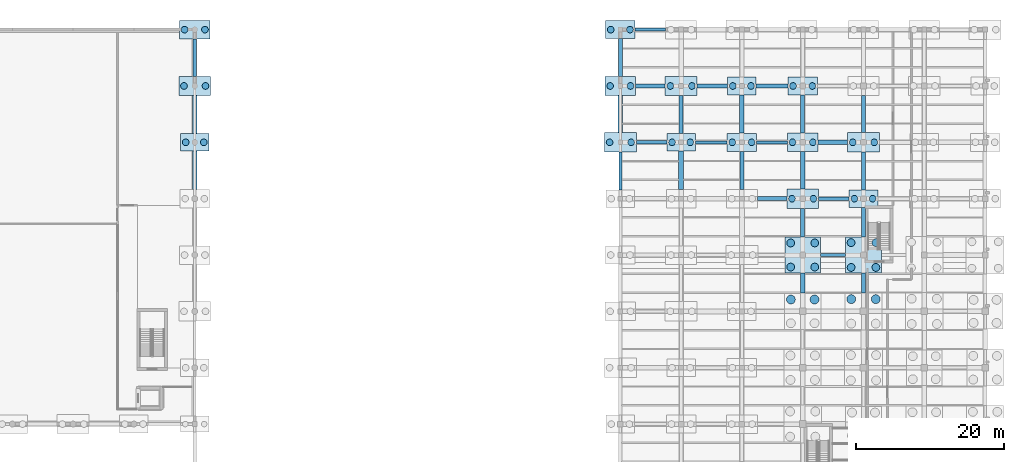
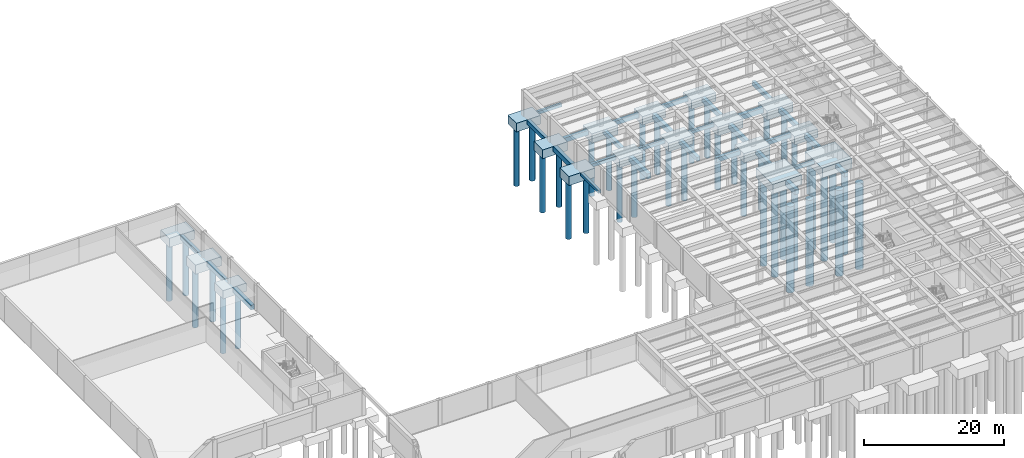
# One storey, part 5 of 29: 46 footings, 42 piles.
"""IFC4 building model written with IfcOpenShell, lengths in metres."""

from ifc_helpers import new_model, si_unit, direction, frame, origin, origin_2d, place, context, subcontext, project, spatial, rectangle, circle, extrude, material, material_profile, profile_set, type_object, element, save


model = new_model("IFC4")

# Units and contexts
model_context = context("Model", 3, precision=1e-05, world=origin(), true_north=direction((0.0, 1.0)))
body_context = subcontext(model_context, "Body", "Model", "MODEL_VIEW")
ifc_project = project(units=[si_unit("LENGTHUNIT", "METRE"), si_unit("AREAUNIT", "SQUARE_METRE"), si_unit("VOLUMEUNIT", "CUBIC_METRE"), si_unit("PLANEANGLEUNIT", "RADIAN"), si_unit("MASSUNIT", "GRAM", prefix="KILO")], contexts=[model_context])

# Site, building, storey
site_placement = place(None, origin())
site = spatial("IfcSite", under=ifc_project, at=site_placement, CompositionType="ELEMENT")
building_placement = place(site_placement, origin())
building = spatial("IfcBuilding", under=site, at=building_placement, Name="Qandaris Square Conservatory and Botanical Centre", CompositionType="ELEMENT")
storey_placement = place(building_placement, frame((0.0, 0.0, -4.800048828125)))
storey = spatial("IfcBuildingStorey", under=building, at=storey_placement, Name="B1", CompositionType="ELEMENT", Elevation=-4.800048828125)

# Piles
ifc_material_1 = material(Name="Concrete C50/60", Category="concrete")
ifc_material_profile_1 = material_profile(ifc_material_1, circle(Radius=0.52490234375, at=origin_2d()), Name="PILE D1050")
ifc_profile_set_1 = profile_set([ifc_material_profile_1], Name="Concrete C50/60")
pile_type_1 = type_object("IfcPileType", Name="Bored Pile D1050", PredefinedType="BORED", material=ifc_profile_set_1)
for number, where, z_axis, x_axis, name in (
    (1, (137.574951171875, 68.175048828125, -1.550048828125), (0.0, 0.0, -1.0), (1.0, 0.0, 0.0), "Bored Pile J17-1"),
    (2, (140.824951171875, 68.175048828125, -1.550048828125), (0.0, 0.0, -1.0), (1.0, 0.0, 0.0), "Bored Pile J17-2"),
    (3, (137.574951171875, 71.425048828125, -1.550048828125), (0.0, 0.0, -1.0), (1.0, 0.0, 0.0), "Bored Pile J17-3"),
    (4, (140.824951171875, 71.425048828125, -1.550048828125), (0.0, 0.0, -1.0), (1.0, 0.0, 0.0), "Bored Pile J17-4"),
):
    element("IfcPile", number, at=place(storey_placement, frame(where, z_axis=z_axis, x_axis=x_axis)), inside=storey, type_object=pile_type_1, Name=name, PredefinedType="BORED", context=body_context, shape_type="SweptSolid", body=[
        extrude(circle(Radius=0.52490234375, at=origin_2d()), origin(), (0.0, 0.0, 1.0), 15.14990234375),
    ])
for number, where, z_axis, x_axis, name in (
    (5, (145.72509765625, 68.125, -1.599853515625), (0.0, 0.0, -1.0), (1.0, 0.0, 0.0), "Bored Pile J18-1"),
    (6, (149.074951171875, 68.125, -1.599853515625), (0.0, 0.0, -1.0), (1.0, 0.0, 0.0), "Bored Pile J18-2"),
    (7, (145.72509765625, 71.47509765625, -1.599853515625), (0.0, 0.0, -1.0), (1.0, 0.0, 0.0), "Bored Pile J18-3"),
    (8, (149.074951171875, 71.47509765625, -1.599853515625), (0.0, 0.0, -1.0), (1.0, 0.0, 0.0), "Bored Pile J18-4"),
):
    element("IfcPile", number, at=place(storey_placement, frame(where, z_axis=z_axis, x_axis=x_axis)), inside=storey, type_object=pile_type_1, Name=name, PredefinedType="BORED", context=body_context, shape_type="SweptSolid", body=[
        extrude(circle(Radius=0.52490234375, at=origin_2d()), origin(), (0.0, 0.0, 1.0), 15.10009765625),
    ])
ifc_material_profile_2 = material_profile(ifc_material_1, circle(Radius=0.60009765625, at=origin_2d()), Name="PILE D1200")
ifc_profile_set_2 = profile_set([ifc_material_profile_2], Name="Concrete C50/60")
pile_type_2 = type_object("IfcPileType", Name="Bored Pile D1200", PredefinedType="BORED", material=ifc_profile_set_2)
for number, where, z_axis, x_axis, name in (
    (9, (137.60009765625, 63.800048828125, -1.599853515625), (0.0, 0.0, -1.0), (1.0, 0.0, 0.0), "Bored Pile H17-3"),
    (10, (140.800048828125, 63.800048828125, -1.599853515625), (0.0, 0.0, -1.0), (1.0, 0.0, 0.0), "Bored Pile H17-4"),
):
    element("IfcPile", number, at=place(storey_placement, frame(where, z_axis=z_axis, x_axis=x_axis)), inside=storey, type_object=pile_type_2, Name=name, PredefinedType="BORED", context=body_context, shape_type="SweptSolid", body=[
        extrude(circle(Radius=0.60009765625, at=origin_2d()), origin(), (0.0, 0.0, 1.0), 15.10009765625),
    ])
for number, where, z_axis, x_axis, name in (
    (11, (145.75, 63.85009765625, -1.64990234375), (0.0, 0.0, -1.0), (1.0, 0.0, 0.0), "Bored Pile H18-3"),
    (12, (149.050048828125, 63.85009765625, -1.64990234375), (0.0, 0.0, -1.0), (1.0, 0.0, 0.0), "Bored Pile H18-4"),
):
    element("IfcPile", number, at=place(storey_placement, frame(where, z_axis=z_axis, x_axis=x_axis)), inside=storey, type_object=pile_type_2, Name=name, PredefinedType="BORED", context=body_context, shape_type="SweptSolid", body=[
        extrude(circle(Radius=0.60009765625, at=origin_2d()), origin(), (0.0, 0.0, 1.0), 15.050048828125),
    ])
ifc_material_profile_3 = material_profile(ifc_material_1, circle(Radius=0.449951171875, at=origin_2d()), Name="PILE D900")
ifc_profile_set_3 = profile_set([ifc_material_profile_3], Name="Concrete C50/60")
pile_type_3 = type_object("IfcPileType", Name="Bored Pile D900", PredefinedType="BORED", material=ifc_profile_set_3)
for number, where, z_axis, x_axis, name in (
    (13, (55.97509765625, 85.0, -1.349853515625), (0.0, 0.0, -1.0), (1.0, 0.0, 0.0), "Bored Pile L7-1"),
    (14, (58.425048828125, 85.0, -1.349853515625), (0.0, 0.0, -1.0), (1.0, 0.0, 0.0), "Bored Pile L7-2"),
):
    element("IfcPile", number, at=place(storey_placement, frame(where, z_axis=z_axis, x_axis=x_axis)), inside=storey, type_object=pile_type_3, Name=name, PredefinedType="BORED", context=body_context, shape_type="SweptSolid", body=[
        extrude(circle(Radius=0.449951171875, at=origin_2d()), origin(), (0.0, 0.0, 1.0), 10.35009765625),
    ])
for number, where, z_axis, x_axis, name in (
    (15, (55.75, 92.60009765625, -1.5), (0.0, 0.0, -1.0), (1.0, 0.0, 0.0), "Bored Pile M7-1"),
    (16, (58.64990234375, 92.60009765625, -1.5), (0.0, 0.0, -1.0), (1.0, 0.0, 0.0), "Bored Pile M7-2"),
):
    element("IfcPile", number, at=place(storey_placement, frame(where, z_axis=z_axis, x_axis=x_axis)), inside=storey, type_object=pile_type_3, Name=name, PredefinedType="BORED", context=body_context, shape_type="SweptSolid", body=[
        extrude(circle(Radius=0.449951171875, at=origin_2d()), origin(), (0.0, 0.0, 1.0), 10.199951171875),
    ])
for number, where, z_axis, x_axis, name in (
    (17, (55.824951171875, 100.199951171875, -1.449951171875), (0.0, 0.0, -1.0), (1.0, 0.0, 0.0), "Bored Pile N7-1"),
    (18, (58.574951171875, 100.199951171875, -1.449951171875), (0.0, 0.0, -1.0), (1.0, 0.0, 0.0), "Bored Pile N7-2"),
):
    element("IfcPile", number, at=place(storey_placement, frame(where, z_axis=z_axis, x_axis=x_axis)), inside=storey, type_object=pile_type_3, Name=name, PredefinedType="BORED", context=body_context, shape_type="SweptSolid", body=[
        extrude(circle(Radius=0.449951171875, at=origin_2d()), origin(), (0.0, 0.0, 1.0), 10.25),
    ])
for number, where, z_axis, x_axis, name in (
    (19, (113.14990234375, 85.0, -1.5), (0.0, 0.0, -1.0), (1.0, 0.0, 0.0), "Bored Pile L14-1"),
    (20, (116.050048828125, 85.0, -1.5), (0.0, 0.0, -1.0), (1.0, 0.0, 0.0), "Bored Pile L14-2"),
):
    element("IfcPile", number, at=place(storey_placement, frame(where, z_axis=z_axis, x_axis=x_axis)), inside=storey, type_object=pile_type_3, Name=name, PredefinedType="BORED", context=body_context, shape_type="SweptSolid", body=[
        extrude(circle(Radius=0.449951171875, at=origin_2d()), origin(), (0.0, 0.0, 1.0), 10.199951171875),
    ])
for number, where, z_axis, x_axis, name in (
    (21, (113.22509765625, 92.60009765625, -1.449951171875), (0.0, 0.0, -1.0), (1.0, 0.0, 0.0), "Bored Pile M14-1"),
    (22, (115.97509765625, 92.60009765625, -1.449951171875), (0.0, 0.0, -1.0), (1.0, 0.0, 0.0), "Bored Pile M14-2"),
):
    element("IfcPile", number, at=place(storey_placement, frame(where, z_axis=z_axis, x_axis=x_axis)), inside=storey, type_object=pile_type_3, Name=name, PredefinedType="BORED", context=body_context, shape_type="SweptSolid", body=[
        extrude(circle(Radius=0.449951171875, at=origin_2d()), origin(), (0.0, 0.0, 1.0), 10.25),
    ])
for number, where, z_axis, x_axis, name in (
    (23, (113.300048828125, 100.199951171875, -1.39990234375), (0.0, 0.0, -1.0), (1.0, 0.0, 0.0), "Bored Pile N14-1"),
    (24, (115.89990234375, 100.199951171875, -1.39990234375), (0.0, 0.0, -1.0), (1.0, 0.0, 0.0), "Bored Pile N14-2"),
):
    element("IfcPile", number, at=place(storey_placement, frame(where, z_axis=z_axis, x_axis=x_axis)), inside=storey, type_object=pile_type_3, Name=name, PredefinedType="BORED", context=body_context, shape_type="SweptSolid", body=[
        extrude(circle(Radius=0.449951171875, at=origin_2d()), origin(), (0.0, 0.0, 1.0), 10.300048828125),
    ])
for number, where, z_axis, x_axis, name in (
    (25, (121.574951171875, 85.0, -1.349853515625), (0.0, 0.0, -1.0), (1.0, 0.0, 0.0), "Bored Pile L15-1"),
    (26, (124.02490234375, 85.0, -1.349853515625), (0.0, 0.0, -1.0), (1.0, 0.0, 0.0), "Bored Pile L15-2"),
):
    element("IfcPile", number, at=place(storey_placement, frame(where, z_axis=z_axis, x_axis=x_axis)), inside=storey, type_object=pile_type_3, Name=name, PredefinedType="BORED", context=body_context, shape_type="SweptSolid", body=[
        extrude(circle(Radius=0.449951171875, at=origin_2d()), origin(), (0.0, 0.0, 1.0), 10.35009765625),
    ])
for number, where, z_axis, x_axis, name in (
    (27, (121.35009765625, 92.60009765625, -1.5), (0.0, 0.0, -1.0), (1.0, 0.0, 0.0), "Bored Pile M15-1"),
    (28, (124.25, 92.60009765625, -1.5), (0.0, 0.0, -1.0), (1.0, 0.0, 0.0), "Bored Pile M15-2"),
):
    element("IfcPile", number, at=place(storey_placement, frame(where, z_axis=z_axis, x_axis=x_axis)), inside=storey, type_object=pile_type_3, Name=name, PredefinedType="BORED", context=body_context, shape_type="SweptSolid", body=[
        extrude(circle(Radius=0.449951171875, at=origin_2d()), origin(), (0.0, 0.0, 1.0), 10.199951171875),
    ])
for number, where, z_axis, x_axis, name in (
    (29, (129.699951171875, 85.0, -1.39990234375), (0.0, 0.0, -1.0), (1.0, 0.0, 0.0), "Bored Pile L16-1"),
    (30, (132.300048828125, 85.0, -1.39990234375), (0.0, 0.0, -1.0), (1.0, 0.0, 0.0), "Bored Pile L16-2"),
):
    element("IfcPile", number, at=place(storey_placement, frame(where, z_axis=z_axis, x_axis=x_axis)), inside=storey, type_object=pile_type_3, Name=name, PredefinedType="BORED", context=body_context, shape_type="SweptSolid", body=[
        extrude(circle(Radius=0.449951171875, at=origin_2d()), origin(), (0.0, 0.0, 1.0), 10.300048828125),
    ])
for number, where, z_axis, x_axis, name in (
    (31, (129.77490234375, 92.60009765625, -1.349853515625), (0.0, 0.0, -1.0), (1.0, 0.0, 0.0), "Bored Pile M16-1"),
    (32, (132.22509765625, 92.60009765625, -1.349853515625), (0.0, 0.0, -1.0), (1.0, 0.0, 0.0), "Bored Pile M16-2"),
):
    element("IfcPile", number, at=place(storey_placement, frame(where, z_axis=z_axis, x_axis=x_axis)), inside=storey, type_object=pile_type_3, Name=name, PredefinedType="BORED", context=body_context, shape_type="SweptSolid", body=[
        extrude(circle(Radius=0.449951171875, at=origin_2d()), origin(), (0.0, 0.0, 1.0), 10.35009765625),
    ])
for number, where, z_axis, x_axis, name in (
    (33, (137.75, 77.39990234375, -1.5), (0.0, 0.0, -1.0), (1.0, 0.0, 0.0), "Bored Pile K17-1"),
    (34, (140.64990234375, 77.39990234375, -1.5), (0.0, 0.0, -1.0), (1.0, 0.0, 0.0), "Bored Pile K17-2"),
):
    element("IfcPile", number, at=place(storey_placement, frame(where, z_axis=z_axis, x_axis=x_axis)), inside=storey, type_object=pile_type_3, Name=name, PredefinedType="BORED", context=body_context, shape_type="SweptSolid", body=[
        extrude(circle(Radius=0.449951171875, at=origin_2d()), origin(), (0.0, 0.0, 1.0), 10.199951171875),
    ])
for number, where, z_axis, x_axis, name in (
    (35, (137.824951171875, 85.0, -1.449951171875), (0.0, 0.0, -1.0), (1.0, 0.0, 0.0), "Bored Pile L17-1"),
    (36, (140.574951171875, 85.0, -1.449951171875), (0.0, 0.0, -1.0), (1.0, 0.0, 0.0), "Bored Pile L17-2"),
):
    element("IfcPile", number, at=place(storey_placement, frame(where, z_axis=z_axis, x_axis=x_axis)), inside=storey, type_object=pile_type_3, Name=name, PredefinedType="BORED", context=body_context, shape_type="SweptSolid", body=[
        extrude(circle(Radius=0.449951171875, at=origin_2d()), origin(), (0.0, 0.0, 1.0), 10.25),
    ])
for number, where, z_axis, x_axis, name in (
    (37, (137.89990234375, 92.60009765625, -1.39990234375), (0.0, 0.0, -1.0), (1.0, 0.0, 0.0), "Bored Pile M17-1"),
    (38, (140.5, 92.60009765625, -1.39990234375), (0.0, 0.0, -1.0), (1.0, 0.0, 0.0), "Bored Pile M17-2"),
):
    element("IfcPile", number, at=place(storey_placement, frame(where, z_axis=z_axis, x_axis=x_axis)), inside=storey, type_object=pile_type_3, Name=name, PredefinedType="BORED", context=body_context, shape_type="SweptSolid", body=[
        extrude(circle(Radius=0.449951171875, at=origin_2d()), origin(), (0.0, 0.0, 1.0), 10.300048828125),
    ])
for number, where, z_axis, x_axis, name in (
    (39, (146.175048828125, 77.39990234375, -1.349853515625), (0.0, 0.0, -1.0), (1.0, 0.0, 0.0), "Bored Pile K18-1"),
    (40, (148.625, 77.39990234375, -1.349853515625), (0.0, 0.0, -1.0), (1.0, 0.0, 0.0), "Bored Pile K18-2"),
):
    element("IfcPile", number, at=place(storey_placement, frame(where, z_axis=z_axis, x_axis=x_axis)), inside=storey, type_object=pile_type_3, Name=name, PredefinedType="BORED", context=body_context, shape_type="SweptSolid", body=[
        extrude(circle(Radius=0.449951171875, at=origin_2d()), origin(), (0.0, 0.0, 1.0), 10.35009765625),
    ])
for number, where, z_axis, x_axis, name in (
    (41, (145.949951171875, 85.0, -1.5), (0.0, 0.0, -1.0), (1.0, 0.0, 0.0), "Bored Pile L18-1"),
    (42, (148.85009765625, 85.0, -1.5), (0.0, 0.0, -1.0), (1.0, 0.0, 0.0), "Bored Pile L18-2"),
):
    element("IfcPile", number, at=place(storey_placement, frame(where, z_axis=z_axis, x_axis=x_axis)), inside=storey, type_object=pile_type_3, Name=name, PredefinedType="BORED", context=body_context, shape_type="SweptSolid", body=[
        extrude(circle(Radius=0.449951171875, at=origin_2d()), origin(), (0.0, 0.0, 1.0), 10.199951171875),
    ])

# Footings
ifc_material_2 = material(Name="Concrete C40/50", Category="concrete")
ifc_material_profile_4 = material_profile(ifc_material_2, rectangle(XDim=0.60009765625, YDim=0.85009765625, at=origin_2d()), Name="FB 600x850")
ifc_profile_set_4 = profile_set([ifc_material_profile_4], Name="Concrete C40/50")
footing_type_1 = type_object("IfcFootingType", Name="RC Ground Tie Beam FB-01", PredefinedType="FOOTING_BEAM", material=ifc_profile_set_4)
footing_1_placement = place(storey_placement, frame((57.199951171875, 78.625, -0.425048828125), z_axis=(0.0, 1.0, 0.0), x_axis=(-1.0, 0.0, 0.0)))
element("IfcFooting", 43, at=footing_1_placement, inside=storey, type_object=footing_type_1, Name="Ground Tie Beam FB-01-101", PredefinedType="FOOTING_BEAM", context=body_context, shape_type="SweptSolid", body=[
    extrude(rectangle(XDim=0.60009765625, YDim=0.85009765625, at=origin_2d()), origin(), (0.0, 0.0, 1.0), 5.175048828125),
])
footing_2_placement = place(storey_placement, frame((131.0, 86.22509765625, -0.425048828125), z_axis=(0.0, 1.0, 0.0), x_axis=(-1.0, 0.0, 0.0)))
element("IfcFooting", 44, at=footing_2_placement, inside=storey, type_object=footing_type_1, Name="Ground Tie Beam FB-01-141", PredefinedType="FOOTING_BEAM", context=body_context, shape_type="SweptSolid", body=[
    extrude(rectangle(XDim=0.60009765625, YDim=0.85009765625, at=origin_2d()), origin(), (0.0, 0.0, 1.0), 5.1748046875),
])
footing_3_placement = place(storey_placement, frame((139.199951171875, 78.699951171875, -0.425048828125), z_axis=(0.0, 1.0, 0.0), x_axis=(-1.0, 0.0, 0.0)))
element("IfcFooting", 45, at=footing_3_placement, inside=storey, type_object=footing_type_1, Name="Ground Tie Beam FB-01-151", PredefinedType="FOOTING_BEAM", context=body_context, shape_type="SweptSolid", body=[
    extrude(rectangle(XDim=0.60009765625, YDim=0.85009765625, at=origin_2d()), origin(), (0.0, 0.0, 1.0), 5.050048828125),
])
footing_4_placement = place(storey_placement, frame((147.39990234375, 72.25, -0.425048828125), z_axis=(0.0, 1.0, 0.0), x_axis=(-1.0, 0.0, 0.0)))
element("IfcFooting", 46, at=footing_4_placement, inside=storey, type_object=footing_type_1, Name="Ground Tie Beam FB-01-161", PredefinedType="FOOTING_BEAM", context=body_context, shape_type="SweptSolid", body=[
    extrude(rectangle(XDim=0.60009765625, YDim=0.85009765625, at=origin_2d()), origin(), (0.0, 0.0, 1.0), 3.949951171875),
])
ifc_material_profile_5 = material_profile(ifc_material_2, rectangle(XDim=0.550048828125, YDim=0.800048828125, at=origin_2d()), Name="FB 550x800")
ifc_profile_set_5 = profile_set([ifc_material_profile_5], Name="Concrete C40/50")
footing_type_2 = type_object("IfcFootingType", Name="RC Ground Tie Beam FB-02", PredefinedType="FOOTING_BEAM", material=ifc_profile_set_5)
footing_5_placement = place(storey_placement, frame((133.074951171875, 77.39990234375, -0.39990234375), z_axis=(1.0, 0.0, 0.0), x_axis=(0.0, 1.0, 0.0)))
element("IfcFooting", 47, at=footing_5_placement, inside=storey, type_object=footing_type_2, Name="Ground Tie Beam FB-02-072", PredefinedType="FOOTING_BEAM", context=body_context, shape_type="SweptSolid", body=[
    extrude(rectangle(XDim=0.550048828125, YDim=0.800048828125, at=origin_2d()), origin(), (0.0, 0.0, 1.0), 3.97509765625),
])
footing_6_placement = place(storey_placement, frame((116.675048828125, 92.60009765625, -0.39990234375), z_axis=(1.0, 0.0, 0.0), x_axis=(0.0, 1.0, 0.0)))
element("IfcFooting", 48, at=footing_6_placement, inside=storey, type_object=footing_type_2, Name="Ground Tie Beam FB-02-082", PredefinedType="FOOTING_BEAM", context=body_context, shape_type="SweptSolid", body=[
    extrude(rectangle(XDim=0.550048828125, YDim=0.800048828125, at=origin_2d()), origin(), (0.0, 0.0, 1.0), 3.974853515625),
])
footing_7_placement = place(storey_placement, frame((57.199951171875, 86.199951171875, -0.39990234375), z_axis=(0.0, 1.0, 0.0), x_axis=(-1.0, 0.0, 0.0)))
element("IfcFooting", 49, at=footing_7_placement, inside=storey, type_object=footing_type_2, Name="Ground Tie Beam FB-02-102", PredefinedType="FOOTING_BEAM", context=body_context, shape_type="SweptSolid", body=[
    extrude(rectangle(XDim=0.550048828125, YDim=0.800048828125, at=origin_2d()), origin(), (0.0, 0.0, 1.0), 5.10009765625),
])
footing_8_placement = place(storey_placement, frame((139.199951171875, 86.25, -0.39990234375), z_axis=(0.0, 1.0, 0.0), x_axis=(-1.0, 0.0, 0.0)))
element("IfcFooting", 50, at=footing_8_placement, inside=storey, type_object=footing_type_2, Name="Ground Tie Beam FB-02-152", PredefinedType="FOOTING_BEAM", context=body_context, shape_type="SweptSolid", body=[
    extrude(rectangle(XDim=0.550048828125, YDim=0.800048828125, at=origin_2d()), origin(), (0.0, 0.0, 1.0), 5.125),
])
footing_9_placement = place(storey_placement, frame((147.39990234375, 78.60009765625, -0.39990234375), z_axis=(0.0, 1.0, 0.0), x_axis=(-1.0, 0.0, 0.0)))
element("IfcFooting", 51, at=footing_9_placement, inside=storey, type_object=footing_type_2, Name="Ground Tie Beam FB-02-162", PredefinedType="FOOTING_BEAM", context=body_context, shape_type="SweptSolid", body=[
    extrude(rectangle(XDim=0.550048828125, YDim=0.800048828125, at=origin_2d()), origin(), (0.0, 0.0, 1.0), 5.099853515625),
])
ifc_material_profile_6 = material_profile(ifc_material_2, rectangle(XDim=0.5, YDim=0.75, at=origin_2d()), Name="FB 500x750")
ifc_profile_set_6 = profile_set([ifc_material_profile_6], Name="Concrete C40/50")
footing_type_3 = type_object("IfcFootingType", Name="RC Ground Tie Beam FB-03", PredefinedType="FOOTING_BEAM", material=ifc_profile_set_6)
for number, where, z_axis, x_axis, name in (
    (52, (141.35009765625, 77.39990234375, -0.375), (1.0, 0.0, 0.0), (0.0, 1.0, 0.0), "Ground Tie Beam FB-03-073"),
    (53, (124.949951171875, 92.60009765625, -0.375), (1.0, 0.0, 0.0), (0.0, 1.0, 0.0), "Ground Tie Beam FB-03-083"),
):
    element("IfcFooting", number, at=place(storey_placement, frame(where, z_axis=z_axis, x_axis=x_axis)), inside=storey, type_object=footing_type_3, Name=name, PredefinedType="FOOTING_BEAM", context=body_context, shape_type="SweptSolid", body=[
        extrude(rectangle(XDim=0.5, YDim=0.75, at=origin_2d()), origin(), (0.0, 0.0, 1.0), 4.125),
    ])
for number, where, z_axis, x_axis, name in (
    (54, (57.199951171875, 93.89990234375, -0.375), (0.0, 1.0, 0.0), (-1.0, 0.0, 0.0), "Ground Tie Beam FB-03-103"),
    (55, (147.39990234375, 86.300048828125, -0.375), (0.0, 1.0, 0.0), (-1.0, 0.0, 0.0), "Ground Tie Beam FB-03-163"),
):
    element("IfcFooting", number, at=place(storey_placement, frame(where, z_axis=z_axis, x_axis=x_axis)), inside=storey, type_object=footing_type_3, Name=name, PredefinedType="FOOTING_BEAM", context=body_context, shape_type="SweptSolid", body=[
        extrude(rectangle(XDim=0.5, YDim=0.75, at=origin_2d()), origin(), (0.0, 0.0, 1.0), 5.050048828125),
    ])
ifc_material_profile_7 = material_profile(ifc_material_2, rectangle(XDim=0.5, YDim=0.699951171875, at=origin_2d()), Name="FB 500x700")
ifc_profile_set_7 = profile_set([ifc_material_profile_7], Name="Concrete C40/50")
footing_type_4 = type_object("IfcFootingType", Name="RC Ground Tie Beam FB-04", PredefinedType="FOOTING_BEAM", material=ifc_profile_set_7)
footing_10_placement = place(storey_placement, frame((132.925048828125, 92.60009765625, -0.349853515625), z_axis=(1.0, 0.0, 0.0), x_axis=(0.0, 1.0, 0.0)))
element("IfcFooting", 56, at=footing_10_placement, inside=storey, type_object=footing_type_4, Name="Ground Tie Beam FB-04-084", PredefinedType="FOOTING_BEAM", context=body_context, shape_type="SweptSolid", body=[
    extrude(rectangle(XDim=0.5, YDim=0.699951171875, at=origin_2d()), origin(), (0.0, 0.0, 1.0), 4.27490234375),
])
ifc_material_profile_8 = material_profile(ifc_material_2, rectangle(XDim=0.449951171875, YDim=0.60009765625, at=origin_2d()), Name="FB 450x600")
ifc_profile_set_8 = profile_set([ifc_material_profile_8], Name="Concrete C40/50")
footing_type_5 = type_object("IfcFootingType", Name="RC Ground Tie Beam FB-06", PredefinedType="FOOTING_BEAM", material=ifc_profile_set_8)
footing_11_placement = place(storey_placement, frame((116.75, 85.0, -0.300048828125), z_axis=(1.0, 0.0, 0.0), x_axis=(0.0, 1.0, 0.0)))
element("IfcFooting", 57, at=footing_11_placement, inside=storey, type_object=footing_type_5, Name="Ground Tie Beam FB-06-076", PredefinedType="FOOTING_BEAM", context=body_context, shape_type="SweptSolid", body=[
    extrude(rectangle(XDim=0.449951171875, YDim=0.60009765625, at=origin_2d()), origin(), (0.0, 0.0, 1.0), 4.125),
])
ifc_material_profile_9 = material_profile(ifc_material_2, rectangle(XDim=0.39990234375, YDim=0.60009765625, at=origin_2d()), Name="FB 400x600")
ifc_profile_set_9 = profile_set([ifc_material_profile_9], Name="Concrete C40/50")
footing_type_6 = type_object("IfcFootingType", Name="RC Ground Tie Beam FB-07", PredefinedType="FOOTING_BEAM", material=ifc_profile_set_9)
footing_12_placement = place(storey_placement, frame((141.60009765625, 69.800048828125, -0.300048828125), z_axis=(1.0, 0.0, 0.0), x_axis=(0.0, 1.0, 0.0)))
element("IfcFooting", 58, at=footing_12_placement, inside=storey, type_object=footing_type_6, Name="Ground Tie Beam FB-07-067", PredefinedType="FOOTING_BEAM", context=body_context, shape_type="SweptSolid", body=[
    extrude(rectangle(XDim=0.39990234375, YDim=0.60009765625, at=origin_2d()), origin(), (0.0, 0.0, 1.0), 3.349853515625),
])
footing_13_placement = place(storey_placement, frame((124.72509765625, 85.0, -0.300048828125), z_axis=(1.0, 0.0, 0.0), x_axis=(0.0, 1.0, 0.0)))
element("IfcFooting", 59, at=footing_13_placement, inside=storey, type_object=footing_type_6, Name="Ground Tie Beam FB-07-077", PredefinedType="FOOTING_BEAM", context=body_context, shape_type="SweptSolid", body=[
    extrude(rectangle(XDim=0.39990234375, YDim=0.60009765625, at=origin_2d()), origin(), (0.0, 0.0, 1.0), 4.27490234375),
])
ifc_material_profile_10 = material_profile(ifc_material_2, rectangle(XDim=0.39990234375, YDim=0.550048828125, at=origin_2d()), Name="FB 400x550")
ifc_profile_set_10 = profile_set([ifc_material_profile_10], Name="Concrete C40/50")
footing_type_7 = type_object("IfcFootingType", Name="RC Ground Tie Beam FB-08", PredefinedType="FOOTING_BEAM", material=ifc_profile_set_10)
for number, where, z_axis, x_axis, name in (
    (60, (133.0, 85.0, -0.27490234375), (1.0, 0.0, 0.0), (0.0, 1.0, 0.0), "Ground Tie Beam FB-08-078"),
    (61, (116.60009765625, 100.199951171875, -0.27490234375), (1.0, 0.0, 0.0), (0.0, 1.0, 0.0), "Ground Tie Beam FB-08-088"),
):
    element("IfcFooting", number, at=place(storey_placement, frame(where, z_axis=z_axis, x_axis=x_axis)), inside=storey, type_object=footing_type_7, Name=name, PredefinedType="FOOTING_BEAM", context=body_context, shape_type="SweptSolid", body=[
        extrude(rectangle(XDim=0.39990234375, YDim=0.550048828125, at=origin_2d()), origin(), (0.0, 0.0, 1.0), 4.125),
    ])
footing_14_placement = place(storey_placement, frame((114.60009765625, 78.60009765625, -0.27490234375), z_axis=(0.0, 1.0, 0.0), x_axis=(-1.0, 0.0, 0.0)))
element("IfcFooting", 62, at=footing_14_placement, inside=storey, type_object=footing_type_7, Name="Ground Tie Beam FB-08-118", PredefinedType="FOOTING_BEAM", context=body_context, shape_type="SweptSolid", body=[
    extrude(rectangle(XDim=0.39990234375, YDim=0.550048828125, at=origin_2d()), origin(), (0.0, 0.0, 1.0), 5.099853515625),
])
ifc_material_profile_11 = material_profile(ifc_material_2, rectangle(XDim=0.64990234375, YDim=0.89990234375, at=origin_2d()), Name="FB 650x900")
ifc_profile_set_11 = profile_set([ifc_material_profile_11], Name="Concrete C40/50")
footing_type_8 = type_object("IfcFootingType", Name="RC Ground Tie Beam FB-09", PredefinedType="FOOTING_BEAM", material=ifc_profile_set_11)
footing_15_placement = place(storey_placement, frame((141.27490234375, 85.0, -0.449951171875), z_axis=(1.0, 0.0, 0.0), x_axis=(0.0, 1.0, 0.0)))
element("IfcFooting", 63, at=footing_15_placement, inside=storey, type_object=footing_type_8, Name="Ground Tie Beam FB-09-079", PredefinedType="FOOTING_BEAM", context=body_context, shape_type="SweptSolid", body=[
    extrude(rectangle(XDim=0.64990234375, YDim=0.89990234375, at=origin_2d()), origin(), (0.0, 0.0, 1.0), 3.97509765625),
])
footing_16_placement = place(storey_placement, frame((114.60009765625, 86.300048828125, -0.449951171875), z_axis=(0.0, 1.0, 0.0), x_axis=(-1.0, 0.0, 0.0)))
element("IfcFooting", 64, at=footing_16_placement, inside=storey, type_object=footing_type_8, Name="Ground Tie Beam FB-09-119", PredefinedType="FOOTING_BEAM", context=body_context, shape_type="SweptSolid", body=[
    extrude(rectangle(XDim=0.64990234375, YDim=0.89990234375, at=origin_2d()), origin(), (0.0, 0.0, 1.0), 5.050048828125),
])
footing_17_placement = place(storey_placement, frame((122.800048828125, 78.625, -0.449951171875), z_axis=(0.0, 1.0, 0.0), x_axis=(-1.0, 0.0, 0.0)))
element("IfcFooting", 65, at=footing_17_placement, inside=storey, type_object=footing_type_8, Name="Ground Tie Beam FB-09-129", PredefinedType="FOOTING_BEAM", context=body_context, shape_type="SweptSolid", body=[
    extrude(rectangle(XDim=0.64990234375, YDim=0.89990234375, at=origin_2d()), origin(), (0.0, 0.0, 1.0), 5.175048828125),
])
footing_18_placement = place(storey_placement, frame((139.199951171875, 64.64990234375, -0.449951171875), z_axis=(0.0, 1.0, 0.0), x_axis=(-1.0, 0.0, 0.0)))
element("IfcFooting", 66, at=footing_18_placement, inside=storey, type_object=footing_type_8, Name="Ground Tie Beam FB-09-149", PredefinedType="FOOTING_BEAM", context=body_context, shape_type="SweptSolid", body=[
    extrude(rectangle(XDim=0.64990234375, YDim=0.89990234375, at=origin_2d()), origin(), (0.0, 0.0, 1.0), 2.75),
])
ifc_material_profile_12 = material_profile(ifc_material_2, rectangle(XDim=0.550048828125, YDim=0.699951171875, at=origin_2d()), Name="FB 550x700")
ifc_profile_set_12 = profile_set([ifc_material_profile_12], Name="Concrete C40/50")
footing_type_9 = type_object("IfcFootingType", Name="RC Ground Tie Beam FB-10", PredefinedType="FOOTING_BEAM", material=ifc_profile_set_12)
footing_19_placement = place(storey_placement, frame((114.60009765625, 93.85009765625, -0.349853515625), z_axis=(0.0, 1.0, 0.0), x_axis=(-1.0, 0.0, 0.0)))
element("IfcFooting", 67, at=footing_19_placement, inside=storey, type_object=footing_type_9, Name="Ground Tie Beam FB-10-120", PredefinedType="FOOTING_BEAM", context=body_context, shape_type="SweptSolid", body=[
    extrude(rectangle(XDim=0.550048828125, YDim=0.699951171875, at=origin_2d()), origin(), (0.0, 0.0, 1.0), 5.125),
])
footing_20_placement = place(storey_placement, frame((122.800048828125, 86.199951171875, -0.349853515625), z_axis=(0.0, 1.0, 0.0), x_axis=(-1.0, 0.0, 0.0)))
element("IfcFooting", 68, at=footing_20_placement, inside=storey, type_object=footing_type_9, Name="Ground Tie Beam FB-10-130", PredefinedType="FOOTING_BEAM", context=body_context, shape_type="SweptSolid", body=[
    extrude(rectangle(XDim=0.550048828125, YDim=0.699951171875, at=origin_2d()), origin(), (0.0, 0.0, 1.0), 5.10009765625),
])
footing_21_placement = place(storey_placement, frame((131.0, 78.64990234375, -0.349853515625), z_axis=(0.0, 1.0, 0.0), x_axis=(-1.0, 0.0, 0.0)))
element("IfcFooting", 69, at=footing_21_placement, inside=storey, type_object=footing_type_9, Name="Ground Tie Beam FB-10-140", PredefinedType="FOOTING_BEAM", context=body_context, shape_type="SweptSolid", body=[
    extrude(rectangle(XDim=0.550048828125, YDim=0.699951171875, at=origin_2d()), origin(), (0.0, 0.0, 1.0), 5.125),
])
footing_22_placement = place(storey_placement, frame((139.199951171875, 72.199951171875, -0.349853515625), z_axis=(0.0, 1.0, 0.0), x_axis=(-1.0, 0.0, 0.0)))
element("IfcFooting", 70, at=footing_22_placement, inside=storey, type_object=footing_type_9, Name="Ground Tie Beam FB-10-150", PredefinedType="FOOTING_BEAM", context=body_context, shape_type="SweptSolid", body=[
    extrude(rectangle(XDim=0.550048828125, YDim=0.699951171875, at=origin_2d()), origin(), (0.0, 0.0, 1.0), 3.900146484375),
])
footing_23_placement = place(storey_placement, frame((147.39990234375, 64.699951171875, -0.349853515625), z_axis=(0.0, 1.0, 0.0), x_axis=(-1.0, 0.0, 0.0)))
element("IfcFooting", 71, at=footing_23_placement, inside=storey, type_object=footing_type_9, Name="Ground Tie Beam FB-10-160", PredefinedType="FOOTING_BEAM", context=body_context, shape_type="SweptSolid", body=[
    extrude(rectangle(XDim=0.550048828125, YDim=0.699951171875, at=origin_2d()), origin(), (0.0, 0.0, 1.0), 2.650146484375),
])
footing_type_10 = type_object("IfcFootingType", Name="RC Pile Cap PC-03", PredefinedType="PILE_CAP", material=ifc_material_2)
footing_24_placement = place(storey_placement, frame((147.39990234375, 69.800048828125, -1.69970703125), z_axis=(0.0, 0.0, 1.0), x_axis=(1.0, 0.0, 0.0)))
element("IfcFooting", 72, at=footing_24_placement, inside=storey, type_object=footing_type_10, Name="Pile Cap PC-03 at J18", PredefinedType="PILE_CAP", context=body_context, shape_type="SweptSolid", body=[
    extrude(rectangle(XDim=4.89990234375, YDim=4.89990234375, at=origin_2d()), origin(), (0.0, 0.0, 1.0), 1.699951171875),
])
footing_type_11 = type_object("IfcFootingType", Name="RC Pile Cap PC-04", PredefinedType="PILE_CAP", material=ifc_material_2)
footing_25_placement = place(storey_placement, frame((139.199951171875, 69.800048828125, -1.64990234375), z_axis=(0.0, 0.0, 1.0), x_axis=(1.0, 0.0, 0.0)))
element("IfcFooting", 73, at=footing_25_placement, inside=storey, type_object=footing_type_11, Name="Pile Cap PC-04 at J17", PredefinedType="PILE_CAP", context=body_context, shape_type="SweptSolid", body=[
    extrude(rectangle(XDim=4.800048828125, YDim=4.800048828125, at=origin_2d()), origin(), (0.0, 0.0, 1.0), 1.64990234375),
])
footing_type_12 = type_object("IfcFootingType", Name="RC Pile Cap PC-05", PredefinedType="PILE_CAP", material=ifc_material_2)
for number, where, z_axis, x_axis, name in (
    (74, (57.199951171875, 92.60009765625, -1.60009765625), (0.0, 0.0, 1.0), (1.0, 0.0, 0.0), "Pile Cap PC-05 at M7"),
    (75, (114.60009765625, 85.0, -1.60009765625), (0.0, 0.0, 1.0), (1.0, 0.0, 0.0), "Pile Cap PC-05 at L14"),
    (76, (122.800048828125, 92.60009765625, -1.60009765625), (0.0, 0.0, 1.0), (1.0, 0.0, 0.0), "Pile Cap PC-05 at M15"),
    (77, (139.199951171875, 77.39990234375, -1.60009765625), (0.0, 0.0, 1.0), (1.0, 0.0, 0.0), "Pile Cap PC-05 at K17"),
    (78, (147.39990234375, 85.0, -1.60009765625), (0.0, 0.0, 1.0), (1.0, 0.0, 0.0), "Pile Cap PC-05 at L18"),
):
    element("IfcFooting", number, at=place(storey_placement, frame(where, z_axis=z_axis, x_axis=x_axis)), inside=storey, type_object=footing_type_12, Name=name, PredefinedType="PILE_CAP", context=body_context, shape_type="SweptSolid", body=[
        extrude(rectangle(XDim=4.300048828125, YDim=2.60009765625, at=origin_2d()), origin(), (0.0, 0.0, 1.0), 1.60009765625),
    ])
footing_type_13 = type_object("IfcFootingType", Name="RC Pile Cap PC-06", PredefinedType="PILE_CAP", material=ifc_material_2)
for number, where, z_axis, x_axis, name in (
    (79, (57.199951171875, 100.199951171875, -1.5498046875), (0.0, 0.0, 1.0), (1.0, 0.0, 0.0), "Pile Cap PC-06 at N7"),
    (80, (114.60009765625, 92.60009765625, -1.5498046875), (0.0, 0.0, 1.0), (1.0, 0.0, 0.0), "Pile Cap PC-06 at M14"),
    (81, (139.199951171875, 85.0, -1.5498046875), (0.0, 0.0, 1.0), (1.0, 0.0, 0.0), "Pile Cap PC-06 at L17"),
):
    element("IfcFooting", number, at=place(storey_placement, frame(where, z_axis=z_axis, x_axis=x_axis)), inside=storey, type_object=footing_type_13, Name=name, PredefinedType="PILE_CAP", context=body_context, shape_type="SweptSolid", body=[
        extrude(rectangle(XDim=4.14990234375, YDim=2.5, at=origin_2d()), origin(), (0.0, 0.0, 1.0), 1.550048828125),
    ])
footing_type_14 = type_object("IfcFootingType", Name="RC Pile Cap PC-07", PredefinedType="PILE_CAP", material=ifc_material_2)
for number, where, z_axis, x_axis, name in (
    (82, (114.60009765625, 100.199951171875, -1.5), (0.0, 0.0, 1.0), (1.0, 0.0, 0.0), "Pile Cap PC-07 at N14"),
    (83, (131.0, 85.0, -1.5), (0.0, 0.0, 1.0), (1.0, 0.0, 0.0), "Pile Cap PC-07 at L16"),
    (84, (139.199951171875, 92.60009765625, -1.5), (0.0, 0.0, 1.0), (1.0, 0.0, 0.0), "Pile Cap PC-07 at M17"),
):
    element("IfcFooting", number, at=place(storey_placement, frame(where, z_axis=z_axis, x_axis=x_axis)), inside=storey, type_object=footing_type_14, Name=name, PredefinedType="PILE_CAP", context=body_context, shape_type="SweptSolid", body=[
        extrude(rectangle(XDim=4.0, YDim=2.449951171875, at=origin_2d()), origin(), (0.0, 0.0, 1.0), 1.5),
    ])
footing_type_15 = type_object("IfcFootingType", Name="RC Pile Cap PC-08", PredefinedType="PILE_CAP", material=ifc_material_2)
for number, where, z_axis, x_axis, name in (
    (85, (57.199951171875, 85.0, -1.44970703125), (0.0, 0.0, 1.0), (1.0, 0.0, 0.0), "Pile Cap PC-08 at L7"),
    (86, (122.800048828125, 85.0, -1.44970703125), (0.0, 0.0, 1.0), (1.0, 0.0, 0.0), "Pile Cap PC-08 at L15"),
    (87, (131.0, 92.60009765625, -1.44970703125), (0.0, 0.0, 1.0), (1.0, 0.0, 0.0), "Pile Cap PC-08 at M16"),
    (88, (147.39990234375, 77.39990234375, -1.44970703125), (0.0, 0.0, 1.0), (1.0, 0.0, 0.0), "Pile Cap PC-08 at K18"),
):
    element("IfcFooting", number, at=place(storey_placement, frame(where, z_axis=z_axis, x_axis=x_axis)), inside=storey, type_object=footing_type_15, Name=name, PredefinedType="PILE_CAP", context=body_context, shape_type="SweptSolid", body=[
        extrude(rectangle(XDim=3.85009765625, YDim=2.39990234375, at=origin_2d()), origin(), (0.0, 0.0, 1.0), 1.449951171875),
    ])

save(model, "model.ifc")
